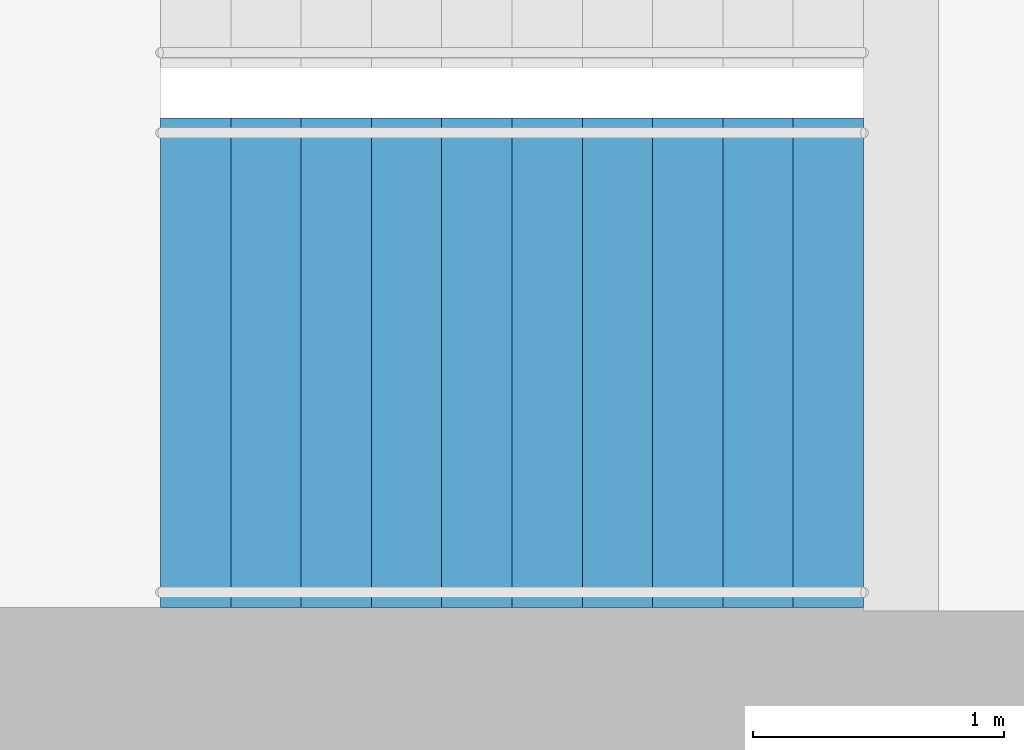
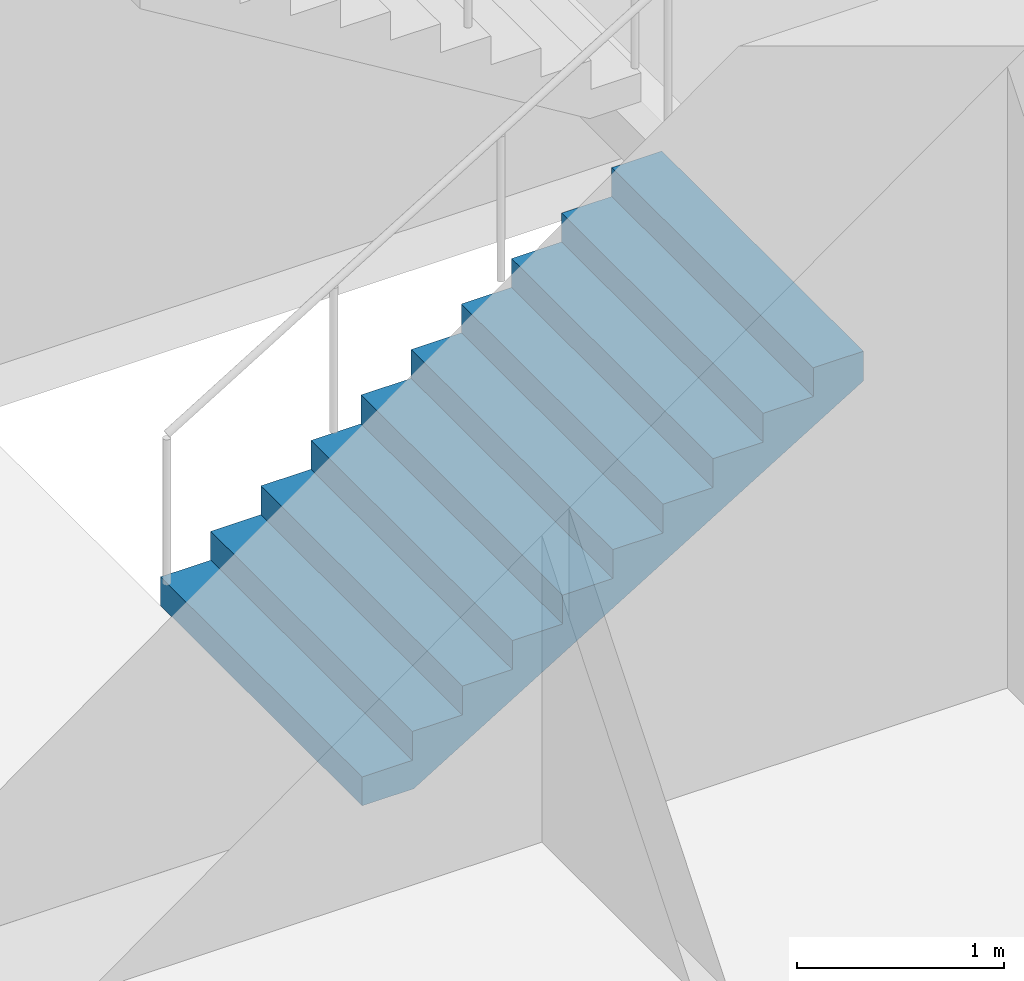
# One storey, part 19 of 23: 1 stair flight, 1 element without a shape of its own.
"""IFC4 building model written with IfcOpenShell, lengths in metres."""

from ifc_helpers import new_model, si_unit, direction, frame, origin, place, context, subcontext, project, spatial, triangles, material, type_object, element, aggregate, save


model = new_model("IFC4")

# Units and contexts
model_context = context("Model", 3, precision=1e-05, world=origin(), true_north=direction((0.0, 1.0)))
body_context = subcontext(model_context, "Body", "Model", "MODEL_VIEW")
ifc_project = project(units=[si_unit("LENGTHUNIT", "METRE"), si_unit("AREAUNIT", "SQUARE_METRE"), si_unit("VOLUMEUNIT", "CUBIC_METRE"), si_unit("PLANEANGLEUNIT", "RADIAN"), si_unit("MASSUNIT", "GRAM", prefix="KILO")], contexts=[model_context])

# Site, building, storey
site_placement = place(None, origin())
site = spatial("IfcSite", under=ifc_project, at=site_placement, CompositionType="ELEMENT")
building_placement = place(site_placement, origin())
building = spatial("IfcBuilding", under=site, at=building_placement, Name="Orbita Commons", CompositionType="ELEMENT")
storey_placement = place(building_placement, frame((0.0, 0.0, 227.800048828125)))
storey = spatial("IfcBuildingStorey", under=building, at=storey_placement, Name="L56", CompositionType="ELEMENT", Elevation=227.800048828125)

# Stair, stair flight
ifc_material_1 = material(Name="Precast concrete C40/50", Category="concrete")
stair_type = type_object("IfcStairType", Name="Exit stair S1 2 flights 11 risers 170", PredefinedType="HALF_TURN_STAIR", material=ifc_material_1)
stair_placement = place(storey_placement, origin())
stair = element("IfcStair", 1, at=stair_placement, inside=storey, type_object=stair_type, Name="Exit stair S1 L56", PredefinedType="HALF_TURN_STAIR")
ifc_material_2 = material(Name="Precast concrete C40/50", Category="concrete")
stair_flight_type = type_object("IfcStairFlightType", Name="Stair flight 11 risers 170 x 280", PredefinedType="STRAIGHT", material=ifc_material_2)
stair_flight_placement = place(storey_placement, frame((20.449951171875, 27.125, 0.0), z_axis=(0.0, 0.0, 1.0), x_axis=(1.0, 0.0, 0.0)))
stair_flight = element("IfcStairFlight", 2, at=stair_flight_placement, type_object=stair_flight_type, Name="S1 flight 1", NumberOfRisers=11, NumberOfTreads=10, PredefinedType="STRAIGHT", RiserHeight=0.170454545, TreadLength=0.28, context=body_context, shape_type="Tessellation", body=[
    triangles([(0.0, 0.974976, 0.0), (0.0, 0.974976, 0.021307), (0.0, 0.81248, 0.021307), (0.0, 0.81248, 0.0), (0.0, 0.649984, 0.021307), (0.0, 0.649984, 0.0), (0.0, 0.487488, 0.021307), (0.0, 0.487488, 0.0), (0.0, 0.324992, 0.021307), (0.0, 0.324992, 0.0), (0.0, 0.162496, 0.021307), (0.0, 0.162496, 0.0), (0.0, 0.0, 0.021307), (0.0, 0.0, 0.0), (0.0, -0.162496, 0.021307), (0.0, -0.162496, 0.0), (0.0, -0.324992, 0.021307), (0.0, -0.324992, 0.0), (0.0, -0.487488, 0.021307), (0.0, -0.487488, 0.0), (0.0, -0.649984, 0.021307), (0.0, -0.649984, 0.0), (0.0, -0.81248, 0.021307), (0.0, -0.81248, 0.0), (0.0, -0.974976, 0.021307), (0.0, -0.974976, 0.0), (0.0, 0.974976, 0.042614), (0.0, 0.81248, 0.042614), (0.0, 0.649984, 0.042614), (0.0, 0.487488, 0.042614), (0.0, 0.324992, 0.042614), (0.0, 0.162496, 0.042614), (0.0, 0.0, 0.042614), (0.0, -0.162496, 0.042614), (0.0, -0.324992, 0.042614), (0.0, -0.487488, 0.042614), (0.0, -0.649984, 0.042614), (0.0, -0.81248, 0.042614), (0.0, -0.974976, 0.042614), (0.0, 0.974976, 0.06392), (0.0, 0.81248, 0.06392), (0.0, 0.649984, 0.06392), (0.0, 0.487488, 0.06392), (0.0, 0.324992, 0.06392), (0.0, 0.162496, 0.06392), (0.0, 0.0, 0.06392), (0.0, -0.162496, 0.06392), (0.0, -0.324992, 0.06392), (0.0, -0.487488, 0.06392), (0.0, -0.649984, 0.06392), (0.0, -0.81248, 0.06392), (0.0, -0.974976, 0.06392), (0.0, 0.974976, 0.085227), (0.0, 0.81248, 0.085227), (0.0, 0.649984, 0.085227), (0.0, 0.487488, 0.085227), (0.0, 0.324992, 0.085227), (0.0, 0.162496, 0.085227), (0.0, 0.0, 0.085227), (0.0, -0.162496, 0.085227), (0.0, -0.324992, 0.085227), (0.0, -0.487488, 0.085227), (0.0, -0.649984, 0.085227), (0.0, -0.81248, 0.085227), (0.0, -0.974976, 0.085227), (0.0, 0.974976, 0.106534), (0.0, 0.81248, 0.106534), (0.0, 0.649984, 0.106534), (0.0, 0.487488, 0.106534), (0.0, 0.324992, 0.106534), (0.0, 0.162496, 0.106534), (0.0, 0.0, 0.106534), (0.0, -0.162496, 0.106534), (0.0, -0.324992, 0.106534), (0.0, -0.487488, 0.106534), (0.0, -0.649984, 0.106534), (0.0, -0.81248, 0.106534), (0.0, -0.974976, 0.106534), (0.0, 0.974976, 0.127841), (0.0, 0.81248, 0.127841), (0.0, 0.649984, 0.127841), (0.0, 0.487488, 0.127841), (0.0, 0.324992, 0.127841), (0.0, 0.162496, 0.127841), (0.0, 0.0, 0.127841), (0.0, -0.162496, 0.127841), (0.0, -0.324992, 0.127841), (0.0, -0.487488, 0.127841), (0.0, -0.649984, 0.127841), (0.0, -0.81248, 0.127841), (0.0, -0.974976, 0.127841), (0.0, 0.974976, 0.149148), (0.0, 0.81248, 0.149148), (0.0, 0.649984, 0.149148), (0.0, 0.487488, 0.149148), (0.0, 0.324992, 0.149148), (0.0, 0.162496, 0.149148), (0.0, 0.0, 0.149148), (0.0, -0.162496, 0.149148), (0.0, -0.324992, 0.149148), (0.0, -0.487488, 0.149148), (0.0, -0.649984, 0.149148), (0.0, -0.81248, 0.149148), (0.0, -0.974976, 0.149148), (0.0, 0.974976, 0.170455), (0.0, 0.81248, 0.170455), (0.0, 0.649984, 0.170455), (0.0, 0.487488, 0.170455), (0.0, 0.324992, 0.170455), (0.0, 0.162496, 0.170455), (0.0, 0.0, 0.170455), (0.0, -0.162496, 0.170455), (0.0, -0.324992, 0.170455), (0.0, -0.487488, 0.170455), (0.0, -0.649984, 0.170455), (0.0, -0.81248, 0.170455), (0.0, -0.974976, 0.170455), (0.28, 0.974976, 0.170455), (0.28, 0.81248, 0.170455), (0.28, 0.649984, 0.170455), (0.28, 0.487488, 0.170455), (0.28, 0.324992, 0.170455), (0.28, 0.162496, 0.170455), (0.28, 0.0, 0.170455), (0.28, -0.162496, 0.170455), (0.28, -0.324992, 0.170455), (0.28, -0.487488, 0.170455), (0.28, -0.649984, 0.170455), (0.28, -0.81248, 0.170455), (0.28, -0.974976, 0.170455), (0.28, 0.974976, 0.340909), (0.28, 0.81248, 0.340909), (0.28, 0.649984, 0.340909), (0.28, 0.487488, 0.340909), (0.28, 0.324992, 0.340909), (0.28, 0.162496, 0.340909), (0.28, 0.0, 0.340909), (0.28, -0.162496, 0.340909), (0.28, -0.324992, 0.340909), (0.28, -0.487488, 0.340909), (0.28, -0.649984, 0.340909), (0.28, -0.81248, 0.340909), (0.28, -0.974976, 0.340909), (0.56, 0.974976, 0.340909), (0.56, 0.81248, 0.340909), (0.56, 0.649984, 0.340909), (0.56, 0.487488, 0.340909), (0.56, 0.324992, 0.340909), (0.56, 0.162496, 0.340909), (0.56, 0.0, 0.340909), (0.56, -0.162496, 0.340909), (0.56, -0.324992, 0.340909), (0.56, -0.487488, 0.340909), (0.56, -0.649984, 0.340909), (0.56, -0.81248, 0.340909), (0.56, -0.974976, 0.340909), (0.56, 0.974976, 0.511364), (0.56, 0.81248, 0.511364), (0.56, 0.649984, 0.511364), (0.56, 0.487488, 0.511364), (0.56, 0.324992, 0.511364), (0.56, 0.162496, 0.511364), (0.56, 0.0, 0.511364), (0.56, -0.162496, 0.511364), (0.56, -0.324992, 0.511364), (0.56, -0.487488, 0.511364), (0.56, -0.649984, 0.511364), (0.56, -0.81248, 0.511364), (0.56, -0.974976, 0.511364), (0.84, 0.974976, 0.511364), (0.84, 0.81248, 0.511364), (0.84, 0.649984, 0.511364), (0.84, 0.487488, 0.511364), (0.84, 0.324992, 0.511364), (0.84, 0.162496, 0.511364), (0.84, 0.0, 0.511364), (0.84, -0.162496, 0.511364), (0.84, -0.324992, 0.511364), (0.84, -0.487488, 0.511364), (0.84, -0.649984, 0.511364), (0.84, -0.81248, 0.511364), (0.84, -0.974976, 0.511364), (0.84, 0.974976, 0.681818), (0.84, 0.81248, 0.681818), (0.84, 0.649984, 0.681818), (0.84, 0.487488, 0.681818), (0.84, 0.324992, 0.681818), (0.84, 0.162496, 0.681818), (0.84, 0.0, 0.681818), (0.84, -0.162496, 0.681818), (0.84, -0.324992, 0.681818), (0.84, -0.487488, 0.681818), (0.84, -0.649984, 0.681818), (0.84, -0.81248, 0.681818), (0.84, -0.974976, 0.681818), (1.12, 0.974976, 0.681818), (1.12, 0.81248, 0.681818), (1.12, 0.649984, 0.681818), (1.12, 0.487488, 0.681818), (1.12, 0.324992, 0.681818), (1.12, 0.162496, 0.681818), (1.12, 0.0, 0.681818), (1.12, -0.162496, 0.681818), (1.12, -0.324992, 0.681818), (1.12, -0.487488, 0.681818), (1.12, -0.649984, 0.681818), (1.12, -0.81248, 0.681818), (1.12, -0.974976, 0.681818), (1.12, 0.974976, 0.852273), (1.12, 0.81248, 0.852273), (1.12, 0.649984, 0.852273), (1.12, 0.487488, 0.852273), (1.12, 0.324992, 0.852273), (1.12, 0.162496, 0.852273), (1.12, 0.0, 0.852273), (1.12, -0.162496, 0.852273), (1.12, -0.324992, 0.852273), (1.12, -0.487488, 0.852273), (1.12, -0.649984, 0.852273), (1.12, -0.81248, 0.852273), (1.12, -0.974976, 0.852273), (1.4, 0.974976, 0.852273), (1.4, 0.81248, 0.852273), (1.4, 0.649984, 0.852273), (1.4, 0.487488, 0.852273), (1.4, 0.324992, 0.852273), (1.4, 0.162496, 0.852273), (1.4, 0.0, 0.852273), (1.4, -0.162496, 0.852273), (1.4, -0.324992, 0.852273), (1.4, -0.487488, 0.852273), (1.4, -0.649984, 0.852273), (1.4, -0.81248, 0.852273), (1.4, -0.974976, 0.852273), (1.4, 0.974976, 1.022727), (1.4, 0.81248, 1.022727), (1.4, 0.649984, 1.022727), (1.4, 0.487488, 1.022727), (1.4, 0.324992, 1.022727), (1.4, 0.162496, 1.022727), (1.4, 0.0, 1.022727), (1.4, -0.162496, 1.022727), (1.4, -0.324992, 1.022727), (1.4, -0.487488, 1.022727), (1.4, -0.649984, 1.022727), (1.4, -0.81248, 1.022727), (1.4, -0.974976, 1.022727), (1.68, 0.974976, 1.022727), (1.68, 0.81248, 1.022727), (1.68, 0.649984, 1.022727), (1.68, 0.487488, 1.022727), (1.68, 0.324992, 1.022727), (1.68, 0.162496, 1.022727), (1.68, 0.0, 1.022727), (1.68, -0.162496, 1.022727), (1.68, -0.324992, 1.022727), (1.68, -0.487488, 1.022727), (1.68, -0.649984, 1.022727), (1.68, -0.81248, 1.022727), (1.68, -0.974976, 1.022727), (1.68, 0.974976, 1.193182), (1.68, 0.81248, 1.193182), (1.68, 0.649984, 1.193182), (1.68, 0.487488, 1.193182), (1.68, 0.324992, 1.193182), (1.68, 0.162496, 1.193182), (1.68, 0.0, 1.193182), (1.68, -0.162496, 1.193182), (1.68, -0.324992, 1.193182), (1.68, -0.487488, 1.193182), (1.68, -0.649984, 1.193182), (1.68, -0.81248, 1.193182), (1.68, -0.974976, 1.193182), (1.96, 0.974976, 1.193182), (1.96, 0.81248, 1.193182), (1.96, 0.649984, 1.193182), (1.96, 0.487488, 1.193182), (1.96, 0.324992, 1.193182), (1.96, 0.162496, 1.193182), (1.96, 0.0, 1.193182), (1.96, -0.162496, 1.193182), (1.96, -0.324992, 1.193182), (1.96, -0.487488, 1.193182), (1.96, -0.649984, 1.193182), (1.96, -0.81248, 1.193182), (1.96, -0.974976, 1.193182), (1.96, 0.974976, 1.363636), (1.96, 0.81248, 1.363636), (1.96, 0.649984, 1.363636), (1.96, 0.487488, 1.363636), (1.96, 0.324992, 1.363636), (1.96, 0.162496, 1.363636), (1.96, 0.0, 1.363636), (1.96, -0.162496, 1.363636), (1.96, -0.324992, 1.363636), (1.96, -0.487488, 1.363636), (1.96, -0.649984, 1.363636), (1.96, -0.81248, 1.363636), (1.96, -0.974976, 1.363636), (2.24, 0.974976, 1.363636), (2.24, 0.81248, 1.363636), (2.24, 0.649984, 1.363636), (2.24, 0.487488, 1.363636), (2.24, 0.324992, 1.363636), (2.24, 0.162496, 1.363636), (2.24, 0.0, 1.363636), (2.24, -0.162496, 1.363636), (2.24, -0.324992, 1.363636), (2.24, -0.487488, 1.363636), (2.24, -0.649984, 1.363636), (2.24, -0.81248, 1.363636), (2.24, -0.974976, 1.363636), (2.24, 0.974976, 1.534091), (2.24, 0.81248, 1.534091), (2.24, 0.649984, 1.534091), (2.24, 0.487488, 1.534091), (2.24, 0.324992, 1.534091), (2.24, 0.162496, 1.534091), (2.24, 0.0, 1.534091), (2.24, -0.162496, 1.534091), (2.24, -0.324992, 1.534091), (2.24, -0.487488, 1.534091), (2.24, -0.649984, 1.534091), (2.24, -0.81248, 1.534091), (2.24, -0.974976, 1.534091), (2.52, 0.974976, 1.534091), (2.52, 0.81248, 1.534091), (2.52, 0.649984, 1.534091), (2.52, 0.487488, 1.534091), (2.52, 0.324992, 1.534091), (2.52, 0.162496, 1.534091), (2.52, 0.0, 1.534091), (2.52, -0.162496, 1.534091), (2.52, -0.324992, 1.534091), (2.52, -0.487488, 1.534091), (2.52, -0.649984, 1.534091), (2.52, -0.81248, 1.534091), (2.52, -0.974976, 1.534091), (2.52, 0.974976, 1.704545), (2.52, 0.81248, 1.704545), (2.52, 0.649984, 1.704545), (2.52, 0.487488, 1.704545), (2.52, 0.324992, 1.704545), (2.52, 0.162496, 1.704545), (2.52, 0.0, 1.704545), (2.52, -0.162496, 1.704545), (2.52, -0.324992, 1.704545), (2.52, -0.487488, 1.704545), (2.52, -0.649984, 1.704545), (2.52, -0.81248, 1.704545), (2.52, -0.974976, 1.704545), (2.8, 0.974976, 1.704545), (2.8, 0.81248, 1.704545), (2.8, 0.649984, 1.704545), (2.8, 0.487488, 1.704545), (2.8, 0.324992, 1.704545), (2.8, 0.162496, 1.704545), (2.8, 0.0, 1.704545), (2.8, -0.162496, 1.704545), (2.8, -0.324992, 1.704545), (2.8, -0.487488, 1.704545), (2.8, -0.649984, 1.704545), (2.8, -0.81248, 1.704545), (2.8, -0.974976, 1.704545), (2.8, 0.974976, 1.682609), (2.8, 0.81248, 1.682609), (2.8, 0.649984, 1.682609), (2.8, 0.487488, 1.682609), (2.8, 0.324992, 1.682609), (2.8, 0.162496, 1.682609), (2.8, 0.0, 1.682609), (2.8, -0.162496, 1.682609), (2.8, -0.324992, 1.682609), (2.8, -0.487488, 1.682609), (2.8, -0.649984, 1.682609), (2.8, -0.81248, 1.682609), (2.8, -0.974976, 1.682609), (2.8, 0.974976, 1.660672), (2.8, 0.81248, 1.660672), (2.8, 0.649984, 1.660672), (2.8, 0.487488, 1.660672), (2.8, 0.324992, 1.660672), (2.8, 0.162496, 1.660672), (2.8, 0.0, 1.660672), (2.8, -0.162496, 1.660672), (2.8, -0.324992, 1.660672), (2.8, -0.487488, 1.660672), (2.8, -0.649984, 1.660672), (2.8, -0.81248, 1.660672), (2.8, -0.974976, 1.660672), (2.8, 0.974976, 1.638735), (2.8, 0.81248, 1.638735), (2.8, 0.649984, 1.638735), (2.8, 0.487488, 1.638735), (2.8, 0.324992, 1.638735), (2.8, 0.162496, 1.638735), (2.8, 0.0, 1.638735), (2.8, -0.162496, 1.638735), (2.8, -0.324992, 1.638735), (2.8, -0.487488, 1.638735), (2.8, -0.649984, 1.638735), (2.8, -0.81248, 1.638735), (2.8, -0.974976, 1.638735), (2.8, 0.974976, 1.616798), (2.8, 0.81248, 1.616798), (2.8, 0.649984, 1.616798), (2.8, 0.487488, 1.616798), (2.8, 0.324992, 1.616798), (2.8, 0.162496, 1.616798), (2.8, 0.0, 1.616798), (2.8, -0.162496, 1.616798), (2.8, -0.324992, 1.616798), (2.8, -0.487488, 1.616798), (2.8, -0.649984, 1.616798), (2.8, -0.81248, 1.616798), (2.8, -0.974976, 1.616798), (2.8, 0.974976, 1.594861), (2.8, 0.81248, 1.594861), (2.8, 0.649984, 1.594861), (2.8, 0.487488, 1.594861), (2.8, 0.324992, 1.594861), (2.8, 0.162496, 1.594861), (2.8, 0.0, 1.594861), (2.8, -0.162496, 1.594861), (2.8, -0.324992, 1.594861), (2.8, -0.487488, 1.594861), (2.8, -0.649984, 1.594861), (2.8, -0.81248, 1.594861), (2.8, -0.974976, 1.594861), (2.8, 0.974976, 1.572925), (2.8, 0.81248, 1.572925), (2.8, 0.649984, 1.572925), (2.8, 0.487488, 1.572925), (2.8, 0.324992, 1.572925), (2.8, 0.162496, 1.572925), (2.8, 0.0, 1.572925), (2.8, -0.162496, 1.572925), (2.8, -0.324992, 1.572925), (2.8, -0.487488, 1.572925), (2.8, -0.649984, 1.572925), (2.8, -0.81248, 1.572925), (2.8, -0.974976, 1.572925), (2.8, 0.974976, 1.550988), (2.8, 0.81248, 1.550988), (2.8, 0.649984, 1.550988), (2.8, 0.487488, 1.550988), (2.8, 0.324992, 1.550988), (2.8, 0.162496, 1.550988), (2.8, 0.0, 1.550988), (2.8, -0.162496, 1.550988), (2.8, -0.324992, 1.550988), (2.8, -0.487488, 1.550988), (2.8, -0.649984, 1.550988), (2.8, -0.81248, 1.550988), (2.8, -0.974976, 1.550988), (2.8, 0.974976, 1.529051), (2.8, 0.81248, 1.529051), (2.8, 0.649984, 1.529051), (2.8, 0.487488, 1.529051), (2.8, 0.324992, 1.529051), (2.8, 0.162496, 1.529051), (2.8, 0.0, 1.529051), (2.8, -0.162496, 1.529051), (2.8, -0.324992, 1.529051), (2.8, -0.487488, 1.529051), (2.8, -0.649984, 1.529051), (2.8, -0.81248, 1.529051), (2.8, -0.974976, 1.529051), (0.288279, 0.974976, 0.0), (0.288279, 0.81248, 0.0), (0.288279, 0.649984, 0.0), (0.288279, 0.487488, 0.0), (0.288279, 0.324992, 0.0), (0.288279, 0.162496, 0.0), (0.288279, 0.0, 0.0), (0.288279, -0.162496, 0.0), (0.288279, -0.324992, 0.0), (0.288279, -0.487488, 0.0), (0.288279, -0.649984, 0.0), (0.288279, -0.81248, 0.0), (0.288279, -0.974976, 0.0)], [[3, 2, 1], [4, 3, 1], [5, 3, 4], [6, 5, 4], [7, 5, 6], [8, 7, 6], [9, 7, 8], [10, 9, 8], [11, 9, 10], [12, 11, 10], [13, 11, 12], [14, 13, 12], [15, 13, 14], [16, 15, 14], [17, 15, 16], [18, 17, 16], [19, 17, 18], [20, 19, 18], [21, 19, 20], [22, 21, 20], [23, 21, 22], [24, 23, 22], [25, 23, 24], [26, 25, 24], [28, 27, 2], [3, 28, 2], [29, 28, 3], [5, 29, 3], [30, 29, 5], [7, 30, 5], [31, 30, 7], [9, 31, 7], [32, 31, 9], [11, 32, 9], [33, 32, 11], [13, 33, 11], [34, 33, 13], [15, 34, 13], [35, 34, 15], [17, 35, 15], [36, 35, 17], [19, 36, 17], [37, 36, 19], [21, 37, 19], [38, 37, 21], [23, 38, 21], [39, 38, 23], [25, 39, 23], [41, 40, 27], [28, 41, 27], [42, 41, 28], [29, 42, 28], [43, 42, 29], [30, 43, 29], [44, 43, 30], [31, 44, 30], [45, 44, 31], [32, 45, 31], [46, 45, 32], [33, 46, 32], [47, 46, 33], [34, 47, 33], [48, 47, 34], [35, 48, 34], [49, 48, 35], [36, 49, 35], [50, 49, 36], [37, 50, 36], [51, 50, 37], [38, 51, 37], [52, 51, 38], [39, 52, 38], [54, 53, 40], [41, 54, 40], [55, 54, 41], [42, 55, 41], [56, 55, 42], [43, 56, 42], [57, 56, 43], [44, 57, 43], [58, 57, 44], [45, 58, 44], [59, 58, 45], [46, 59, 45], [60, 59, 46], [47, 60, 46], [61, 60, 47], [48, 61, 47], [62, 61, 48], [49, 62, 48], [63, 62, 49], [50, 63, 49], [64, 63, 50], [51, 64, 50], [65, 64, 51], [52, 65, 51], [67, 66, 53], [54, 67, 53], [68, 67, 54], [55, 68, 54], [69, 68, 55], [56, 69, 55], [70, 69, 56], [57, 70, 56], [71, 70, 57], [58, 71, 57], [72, 71, 58], [59, 72, 58], [73, 72, 59], [60, 73, 59], [74, 73, 60], [61, 74, 60], [75, 74, 61], [62, 75, 61], [76, 75, 62], [63, 76, 62], [77, 76, 63], [64, 77, 63], [78, 77, 64], [65, 78, 64], [80, 79, 66], [67, 80, 66], [81, 80, 67], [68, 81, 67], [82, 81, 68], [69, 82, 68], [83, 82, 69], [70, 83, 69], [84, 83, 70], [71, 84, 70], [85, 84, 71], [72, 85, 71], [86, 85, 72], [73, 86, 72], [87, 86, 73], [74, 87, 73], [88, 87, 74], [75, 88, 74], [89, 88, 75], [76, 89, 75], [90, 89, 76], [77, 90, 76], [91, 90, 77], [78, 91, 77], [93, 92, 79], [80, 93, 79], [94, 93, 80], [81, 94, 80], [95, 94, 81], [82, 95, 81], [96, 95, 82], [83, 96, 82], [97, 96, 83], [84, 97, 83], [98, 97, 84], [85, 98, 84], [99, 98, 85], [86, 99, 85], [100, 99, 86], [87, 100, 86], [101, 100, 87], [88, 101, 87], [102, 101, 88], [89, 102, 88], [103, 102, 89], [90, 103, 89], [104, 103, 90], [91, 104, 90], [106, 105, 92], [93, 106, 92], [107, 106, 93], [94, 107, 93], [108, 107, 94], [95, 108, 94], [109, 108, 95], [96, 109, 95], [110, 109, 96], [97, 110, 96], [111, 110, 97], [98, 111, 97], [112, 111, 98], [99, 112, 98], [113, 112, 99], [100, 113, 99], [114, 113, 100], [101, 114, 100], [115, 114, 101], [102, 115, 101], [116, 115, 102], [103, 116, 102], [117, 116, 103], [104, 117, 103], [119, 118, 105], [106, 119, 105], [120, 119, 106], [107, 120, 106], [121, 120, 107], [108, 121, 107], [122, 121, 108], [109, 122, 108], [123, 122, 109], [110, 123, 109], [124, 123, 110], [111, 124, 110], [125, 124, 111], [112, 125, 111], [126, 125, 112], [113, 126, 112], [127, 126, 113], [114, 127, 113], [128, 127, 114], [115, 128, 114], [129, 128, 115], [116, 129, 115], [130, 129, 116], [117, 130, 116], [132, 131, 118], [119, 132, 118], [133, 132, 119], [120, 133, 119], [134, 133, 120], [121, 134, 120], [135, 134, 121], [122, 135, 121], [136, 135, 122], [123, 136, 122], [137, 136, 123], [124, 137, 123], [138, 137, 124], [125, 138, 124], [139, 138, 125], [126, 139, 125], [140, 139, 126], [127, 140, 126], [141, 140, 127], [128, 141, 127], [142, 141, 128], [129, 142, 128], [143, 142, 129], [130, 143, 129], [145, 144, 131], [132, 145, 131], [146, 145, 132], [133, 146, 132], [147, 146, 133], [134, 147, 133], [148, 147, 134], [135, 148, 134], [149, 148, 135], [136, 149, 135], [150, 149, 136], [137, 150, 136], [151, 150, 137], [138, 151, 137], [152, 151, 138], [139, 152, 138], [153, 152, 139], [140, 153, 139], [154, 153, 140], [141, 154, 140], [155, 154, 141], [142, 155, 141], [156, 155, 142], [143, 156, 142], [158, 157, 144], [145, 158, 144], [159, 158, 145], [146, 159, 145], [160, 159, 146], [147, 160, 146], [161, 160, 147], [148, 161, 147], [162, 161, 148], [149, 162, 148], [163, 162, 149], [150, 163, 149], [164, 163, 150], [151, 164, 150], [165, 164, 151], [152, 165, 151], [166, 165, 152], [153, 166, 152], [167, 166, 153], [154, 167, 153], [168, 167, 154], [155, 168, 154], [169, 168, 155], [156, 169, 155], [171, 170, 157], [158, 171, 157], [172, 171, 158], [159, 172, 158], [173, 172, 159], [160, 173, 159], [174, 173, 160], [161, 174, 160], [175, 174, 161], [162, 175, 161], [176, 175, 162], [163, 176, 162], [177, 176, 163], [164, 177, 163], [178, 177, 164], [165, 178, 164], [179, 178, 165], [166, 179, 165], [180, 179, 166], [167, 180, 166], [181, 180, 167], [168, 181, 167], [182, 181, 168], [169, 182, 168], [184, 183, 170], [171, 184, 170], [185, 184, 171], [172, 185, 171], [186, 185, 172], [173, 186, 172], [187, 186, 173], [174, 187, 173], [188, 187, 174], [175, 188, 174], [189, 188, 175], [176, 189, 175], [190, 189, 176], [177, 190, 176], [191, 190, 177], [178, 191, 177], [192, 191, 178], [179, 192, 178], [193, 192, 179], [180, 193, 179], [194, 193, 180], [181, 194, 180], [195, 194, 181], [182, 195, 181], [197, 196, 183], [184, 197, 183], [198, 197, 184], [185, 198, 184], [199, 198, 185], [186, 199, 185], [200, 199, 186], [187, 200, 186], [201, 200, 187], [188, 201, 187], [202, 201, 188], [189, 202, 188], [203, 202, 189], [190, 203, 189], [204, 203, 190], [191, 204, 190], [205, 204, 191], [192, 205, 191], [206, 205, 192], [193, 206, 192], [207, 206, 193], [194, 207, 193], [208, 207, 194], [195, 208, 194], [210, 209, 196], [197, 210, 196], [211, 210, 197], [198, 211, 197], [212, 211, 198], [199, 212, 198], [213, 212, 199], [200, 213, 199], [214, 213, 200], [201, 214, 200], [215, 214, 201], [202, 215, 201], [216, 215, 202], [203, 216, 202], [217, 216, 203], [204, 217, 203], [218, 217, 204], [205, 218, 204], [219, 218, 205], [206, 219, 205], [220, 219, 206], [207, 220, 206], [221, 220, 207], [208, 221, 207], [223, 222, 209], [210, 223, 209], [224, 223, 210], [211, 224, 210], [225, 224, 211], [212, 225, 211], [226, 225, 212], [213, 226, 212], [227, 226, 213], [214, 227, 213], [228, 227, 214], [215, 228, 214], [229, 228, 215], [216, 229, 215], [230, 229, 216], [217, 230, 216], [231, 230, 217], [218, 231, 217], [232, 231, 218], [219, 232, 218], [233, 232, 219], [220, 233, 219], [234, 233, 220], [221, 234, 220], [236, 235, 222], [223, 236, 222], [237, 236, 223], [224, 237, 223], [238, 237, 224], [225, 238, 224], [239, 238, 225], [226, 239, 225], [240, 239, 226], [227, 240, 226], [241, 240, 227], [228, 241, 227], [242, 241, 228], [229, 242, 228], [243, 242, 229], [230, 243, 229], [244, 243, 230], [231, 244, 230], [245, 244, 231], [232, 245, 231], [246, 245, 232], [233, 246, 232], [247, 246, 233], [234, 247, 233], [249, 248, 235], [236, 249, 235], [250, 249, 236], [237, 250, 236], [251, 250, 237], [238, 251, 237], [252, 251, 238], [239, 252, 238], [253, 252, 239], [240, 253, 239], [254, 253, 240], [241, 254, 240], [255, 254, 241], [242, 255, 241], [256, 255, 242], [243, 256, 242], [257, 256, 243], [244, 257, 243], [258, 257, 244], [245, 258, 244], [259, 258, 245], [246, 259, 245], [260, 259, 246], [247, 260, 246], [262, 261, 248], [249, 262, 248], [263, 262, 249], [250, 263, 249], [264, 263, 250], [251, 264, 250], [265, 264, 251], [252, 265, 251], [266, 265, 252], [253, 266, 252], [267, 266, 253], [254, 267, 253], [268, 267, 254], [255, 268, 254], [269, 268, 255], [256, 269, 255], [270, 269, 256], [257, 270, 256], [271, 270, 257], [258, 271, 257], [272, 271, 258], [259, 272, 258], [273, 272, 259], [260, 273, 259], [275, 274, 261], [262, 275, 261], [276, 275, 262], [263, 276, 262], [277, 276, 263], [264, 277, 263], [278, 277, 264], [265, 278, 264], [279, 278, 265], [266, 279, 265], [280, 279, 266], [267, 280, 266], [281, 280, 267], [268, 281, 267], [282, 281, 268], [269, 282, 268], [283, 282, 269], [270, 283, 269], [284, 283, 270], [271, 284, 270], [285, 284, 271], [272, 285, 271], [286, 285, 272], [273, 286, 272], [288, 287, 274], [275, 288, 274], [289, 288, 275], [276, 289, 275], [290, 289, 276], [277, 290, 276], [291, 290, 277], [278, 291, 277], [292, 291, 278], [279, 292, 278], [293, 292, 279], [280, 293, 279], [294, 293, 280], [281, 294, 280], [295, 294, 281], [282, 295, 281], [296, 295, 282], [283, 296, 282], [297, 296, 283], [284, 297, 283], [298, 297, 284], [285, 298, 284], [299, 298, 285], [286, 299, 285], [301, 300, 287], [288, 301, 287], [302, 301, 288], [289, 302, 288], [303, 302, 289], [290, 303, 289], [304, 303, 290], [291, 304, 290], [305, 304, 291], [292, 305, 291], [306, 305, 292], [293, 306, 292], [307, 306, 293], [294, 307, 293], [308, 307, 294], [295, 308, 294], [309, 308, 295], [296, 309, 295], [310, 309, 296], [297, 310, 296], [311, 310, 297], [298, 311, 297], [312, 311, 298], [299, 312, 298], [314, 313, 300], [301, 314, 300], [315, 314, 301], [302, 315, 301], [316, 315, 302], [303, 316, 302], [317, 316, 303], [304, 317, 303], [318, 317, 304], [305, 318, 304], [319, 318, 305], [306, 319, 305], [320, 319, 306], [307, 320, 306], [321, 320, 307], [308, 321, 307], [322, 321, 308], [309, 322, 308], [323, 322, 309], [310, 323, 309], [324, 323, 310], [311, 324, 310], [325, 324, 311], [312, 325, 311], [327, 326, 313], [314, 327, 313], [328, 327, 314], [315, 328, 314], [329, 328, 315], [316, 329, 315], [330, 329, 316], [317, 330, 316], [331, 330, 317], [318, 331, 317], [332, 331, 318], [319, 332, 318], [333, 332, 319], [320, 333, 319], [334, 333, 320], [321, 334, 320], [335, 334, 321], [322, 335, 321], [336, 335, 322], [323, 336, 322], [337, 336, 323], [324, 337, 323], [338, 337, 324], [325, 338, 324], [340, 339, 326], [327, 340, 326], [341, 340, 327], [328, 341, 327], [342, 341, 328], [329, 342, 328], [343, 342, 329], [330, 343, 329], [344, 343, 330], [331, 344, 330], [345, 344, 331], [332, 345, 331], [346, 345, 332], [333, 346, 332], [347, 346, 333], [334, 347, 333], [348, 347, 334], [335, 348, 334], [349, 348, 335], [336, 349, 335], [350, 349, 336], [337, 350, 336], [351, 350, 337], [338, 351, 337], [353, 352, 339], [340, 353, 339], [354, 353, 340], [341, 354, 340], [355, 354, 341], [342, 355, 341], [356, 355, 342], [343, 356, 342], [357, 356, 343], [344, 357, 343], [358, 357, 344], [345, 358, 344], [359, 358, 345], [346, 359, 345], [360, 359, 346], [347, 360, 346], [361, 360, 347], [348, 361, 347], [362, 361, 348], [349, 362, 348], [363, 362, 349], [350, 363, 349], [364, 363, 350], [351, 364, 350], [366, 365, 352], [353, 366, 352], [367, 366, 353], [354, 367, 353], [368, 367, 354], [355, 368, 354], [369, 368, 355], [356, 369, 355], [370, 369, 356], [357, 370, 356], [371, 370, 357], [358, 371, 357], [372, 371, 358], [359, 372, 358], [373, 372, 359], [360, 373, 359], [374, 373, 360], [361, 374, 360], [375, 374, 361], [362, 375, 361], [376, 375, 362], [363, 376, 362], [377, 376, 363], [364, 377, 363], [379, 378, 365], [366, 379, 365], [380, 379, 366], [367, 380, 366], [381, 380, 367], [368, 381, 367], [382, 381, 368], [369, 382, 368], [383, 382, 369], [370, 383, 369], [384, 383, 370], [371, 384, 370], [385, 384, 371], [372, 385, 371], [386, 385, 372], [373, 386, 372], [387, 386, 373], [374, 387, 373], [388, 387, 374], [375, 388, 374], [389, 388, 375], [376, 389, 375], [390, 389, 376], [377, 390, 376], [392, 391, 378], [379, 392, 378], [393, 392, 379], [380, 393, 379], [394, 393, 380], [381, 394, 380], [395, 394, 381], [382, 395, 381], [396, 395, 382], [383, 396, 382], [397, 396, 383], [384, 397, 383], [398, 397, 384], [385, 398, 384], [399, 398, 385], [386, 399, 385], [400, 399, 386], [387, 400, 386], [401, 400, 387], [388, 401, 387], [402, 401, 388], [389, 402, 388], [403, 402, 389], [390, 403, 389], [405, 404, 391], [392, 405, 391], [406, 405, 392], [393, 406, 392], [407, 406, 393], [394, 407, 393], [408, 407, 394], [395, 408, 394], [409, 408, 395], [396, 409, 395], [410, 409, 396], [397, 410, 396], [411, 410, 397], [398, 411, 397], [412, 411, 398], [399, 412, 398], [413, 412, 399], [400, 413, 399], [414, 413, 400], [401, 414, 400], [415, 414, 401], [402, 415, 401], [416, 415, 402], [403, 416, 402], [418, 417, 404], [405, 418, 404], [419, 418, 405], [406, 419, 405], [420, 419, 406], [407, 420, 406], [421, 420, 407], [408, 421, 407], [422, 421, 408], [409, 422, 408], [423, 422, 409], [410, 423, 409], [424, 423, 410], [411, 424, 410], [425, 424, 411], [412, 425, 411], [426, 425, 412], [413, 426, 412], [427, 426, 413], [414, 427, 413], [428, 427, 414], [415, 428, 414], [429, 428, 415], [416, 429, 415], [431, 430, 417], [418, 431, 417], [432, 431, 418], [419, 432, 418], [433, 432, 419], [420, 433, 419], [434, 433, 420], [421, 434, 420], [435, 434, 421], [422, 435, 421], [436, 435, 422], [423, 436, 422], [437, 436, 423], [424, 437, 423], [438, 437, 424], [425, 438, 424], [439, 438, 425], [426, 439, 425], [440, 439, 426], [427, 440, 426], [441, 440, 427], [428, 441, 427], [442, 441, 428], [429, 442, 428], [444, 443, 430], [431, 444, 430], [445, 444, 431], [432, 445, 431], [446, 445, 432], [433, 446, 432], [447, 446, 433], [434, 447, 433], [448, 447, 434], [435, 448, 434], [449, 448, 435], [436, 449, 435], [450, 449, 436], [437, 450, 436], [451, 450, 437], [438, 451, 437], [452, 451, 438], [439, 452, 438], [453, 452, 439], [440, 453, 439], [454, 453, 440], [441, 454, 440], [455, 454, 441], [442, 455, 441], [457, 456, 443], [444, 457, 443], [458, 457, 444], [445, 458, 444], [459, 458, 445], [446, 459, 445], [460, 459, 446], [447, 460, 446], [461, 460, 447], [448, 461, 447], [462, 461, 448], [449, 462, 448], [463, 462, 449], [450, 463, 449], [464, 463, 450], [451, 464, 450], [465, 464, 451], [452, 465, 451], [466, 465, 452], [453, 466, 452], [467, 466, 453], [454, 467, 453], [468, 467, 454], [455, 468, 454], [470, 469, 456], [457, 470, 456], [471, 470, 457], [458, 471, 457], [472, 471, 458], [459, 472, 458], [473, 472, 459], [460, 473, 459], [474, 473, 460], [461, 474, 460], [475, 474, 461], [462, 475, 461], [476, 475, 462], [463, 476, 462], [477, 476, 463], [464, 477, 463], [478, 477, 464], [465, 478, 464], [479, 478, 465], [466, 479, 465], [480, 479, 466], [467, 480, 466], [481, 480, 467], [468, 481, 467], [4, 1, 469], [470, 4, 469], [6, 4, 470], [471, 6, 470], [8, 6, 471], [472, 8, 471], [10, 8, 472], [473, 10, 472], [12, 10, 473], [474, 12, 473], [14, 12, 474], [475, 14, 474], [16, 14, 475], [476, 16, 475], [18, 16, 476], [477, 18, 476], [20, 18, 477], [478, 20, 477], [22, 20, 478], [479, 22, 478], [24, 22, 479], [480, 24, 479], [26, 24, 480], [481, 26, 480], [456, 469, 1], [26, 481, 468], [443, 456, 1], [26, 468, 455], [430, 443, 1], [26, 455, 442], [417, 430, 1], [26, 442, 429], [404, 417, 1], [26, 429, 416], [391, 404, 1], [26, 416, 403], [378, 391, 1], [26, 403, 390], [365, 378, 1], [26, 390, 377], [339, 352, 365], [377, 364, 351], [326, 339, 365], [377, 351, 338], [300, 313, 326], [338, 325, 312], [300, 326, 365], [377, 338, 312], [274, 287, 300], [312, 299, 286], [274, 300, 365], [377, 312, 286], [248, 261, 274], [286, 273, 260], [248, 274, 365], [377, 286, 260], [222, 235, 248], [260, 247, 234], [222, 248, 365], [377, 260, 234], [196, 209, 222], [234, 221, 208], [196, 222, 365], [377, 234, 208], [170, 183, 196], [208, 195, 182], [170, 196, 365], [377, 208, 182], [144, 157, 170], [182, 169, 156], [144, 170, 365], [377, 182, 156], [118, 131, 144], [156, 143, 130], [118, 144, 365], [377, 156, 130], [118, 365, 1], [26, 377, 130], [92, 105, 118], [130, 117, 104], [79, 92, 118], [130, 104, 91], [66, 79, 118], [130, 91, 78], [53, 66, 118], [130, 78, 65], [40, 53, 118], [130, 65, 52], [27, 40, 118], [130, 52, 39], [2, 27, 118], [130, 39, 25], [1, 2, 118], [130, 25, 26]], closed=True),
])
aggregate(stair, [stair_flight])

save(model, "model.ifc")
